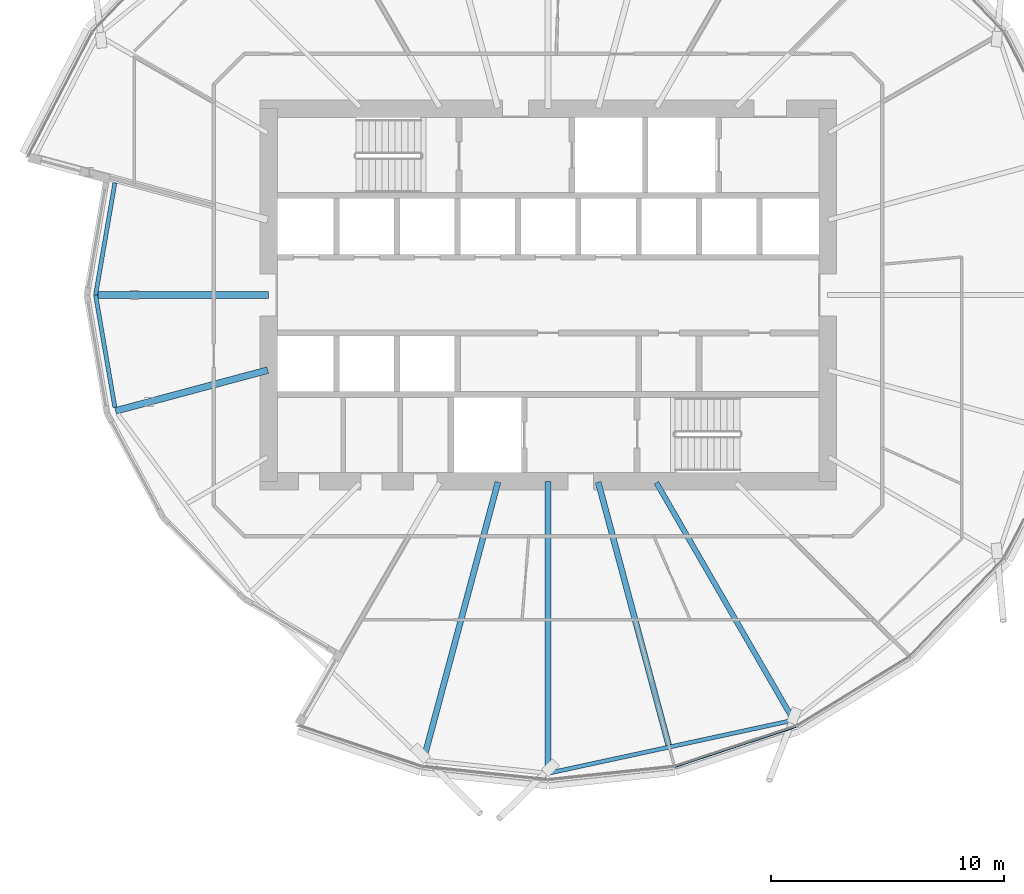
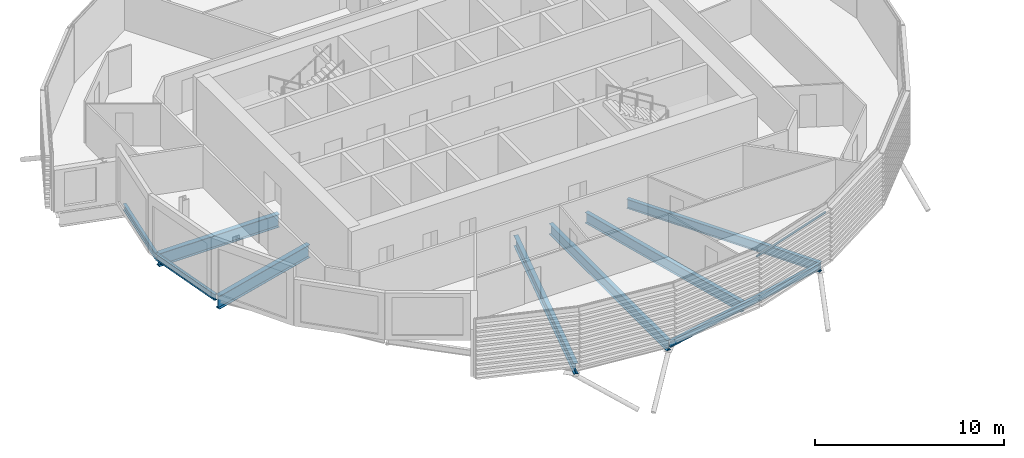
# One storey, part 4 of 39: 9 beams, 1 member, 1 element without a shape of its own.
"""IFC4 building model written with IfcOpenShell, lengths in metres."""

from ifc_helpers import new_model, si_unit, direction, frame, origin, origin_2d, place, context, subcontext, project, spatial, rectangle, i_section, extrude, material, material_profile, profile_set, type_object, element, aggregate, save


model = new_model("IFC4")

# Units and contexts
model_context = context("Model", 3, precision=1e-05, world=origin(), true_north=direction((0.0, 1.0)))
body_context = subcontext(model_context, "Body", "Model", "MODEL_VIEW")
ifc_project = project(units=[si_unit("LENGTHUNIT", "METRE"), si_unit("AREAUNIT", "SQUARE_METRE"), si_unit("VOLUMEUNIT", "CUBIC_METRE"), si_unit("PLANEANGLEUNIT", "RADIAN"), si_unit("MASSUNIT", "GRAM", prefix="KILO")], contexts=[model_context])

# Site, building, storey
site_placement = place(None, origin())
site = spatial("IfcSite", under=ifc_project, at=site_placement, CompositionType="ELEMENT")
building_placement = place(site_placement, origin())
building = spatial("IfcBuilding", under=site, at=building_placement, Name="Rimbun Link Towers", CompositionType="ELEMENT")
storey_placement = place(building_placement, frame((0.0, 0.0, 112.0)))
storey = spatial("IfcBuildingStorey", under=building, at=storey_placement, Name="L27", CompositionType="ELEMENT", Elevation=112.0)

# Curtain wall, member
ifc_material_1 = material(Name="Aluminium 6063-T6 and low-iron glass", Category="aluminium")
curtain_wall_type = type_object("IfcCurtainWallType", Name="CW1-Z2 unitised vision wall (zone 2)", PredefinedType="NOTDEFINED", material=ifc_material_1)
curtain_wall_placement = place(storey_placement, origin())
curtain_wall = element("IfcCurtainWall", 1, at=curtain_wall_placement, inside=storey, type_object=curtain_wall_type, Name="CW1 L27 T1", PredefinedType="NOTDEFINED")
ifc_material_2 = material(Name="Aluminium 6063-T6", Category="aluminium")
ifc_material_profile_1 = material_profile(ifc_material_2, rectangle(XDim=0.06005859375, YDim=0.1201171875, at=origin_2d()), Name="TRANSOM 60X120")
ifc_profile_set_1 = profile_set([ifc_material_profile_1], Name="Aluminium 6063-T6")
member_type = type_object("IfcMemberType", Name="CW1 transom 60X120", PredefinedType="USERDEFINED", material=ifc_profile_set_1)
member_placement = place(storey_placement, frame((-21.09228515625, -18.5419921875, 3.199951171875), z_axis=(-0.949230712226, -0.314580760645, 0.0), x_axis=(0.314580760645, -0.949230712226, 0.0)))
member = element("IfcMember", 2, at=member_placement, type_object=member_type, Name="CW1 transom", ObjectType="TRANSOM", PredefinedType="USERDEFINED", context=body_context, shape_type="SweptSolid", body=[
    extrude(rectangle(XDim=0.06005859375, YDim=0.1201171875, at=origin_2d()), origin(), (0.0, 0.0, 1.0), 5.471435546875),
])
aggregate(curtain_wall, [member])

# Beams
ifc_material_3 = material(Name="Steel S355J2", Category="steel")
ifc_material_profile_2 = material_profile(ifc_material_3, i_section(OverallWidth=0.177978515625, OverallDepth=0.406494140625, WebThickness=0.0078125, FlangeThickness=0.0126953125, at=origin_2d()), Name="UB 406x178x60")
ifc_profile_set_2 = profile_set([ifc_material_profile_2], Name="Steel S355J2")
beam_type_1 = type_object("IfcBeamType", Name="UB 406x178x60", PredefinedType="BEAM", material=ifc_profile_set_2)
beam_1_placement = place(storey_placement, frame((-50.35205078125, 4.81689453125, -0.36328125), z_axis=(-0.169208651804, -0.985580251504, 0.0), x_axis=(0.985580251504, -0.169208651804, 0.0)))
element("IfcBeam", 3, at=beam_1_placement, inside=storey, type_object=beam_type_1, Name="Edge beam T1 L27 11 recess", PredefinedType="BEAM", context=body_context, shape_type="SweptSolid", body=[
    extrude(i_section(OverallWidth=0.177978515625, OverallDepth=0.406494140625, WebThickness=0.0078125, FlangeThickness=0.0126953125, at=origin_2d()), origin(), (0.0, 0.0, 1.0), 4.87109375),
])
beam_2_placement = place(storey_placement, frame((-51.17626953125, -0.01611328125, -0.36328125), z_axis=(0.169186101324, -0.985584122802, 0.0), x_axis=(0.985584122802, 0.169186101324, 0.0)))
element("IfcBeam", 4, at=beam_2_placement, inside=storey, type_object=beam_type_1, Name="Edge beam T1 L27 12 recess", PredefinedType="BEAM", context=body_context, shape_type="SweptSolid", body=[
    extrude(i_section(OverallWidth=0.177978515625, OverallDepth=0.406494140625, WebThickness=0.0078125, FlangeThickness=0.0126953125, at=origin_2d()), origin(), (0.0, 0.0, 1.0), 4.87744140625),
])
beam_3_placement = place(storey_placement, frame((-31.7490234375, -20.536376953125, -0.36328125), z_axis=(0.977393453012, 0.211428564788, 0.0), x_axis=(-0.211428564788, 0.977393453012, 0.0)))
element("IfcBeam", 5, at=beam_3_placement, inside=storey, type_object=beam_type_1, Name="Edge beam T1 L27 18-20", PredefinedType="BEAM", context=body_context, shape_type="SweptSolid", body=[
    extrude(i_section(OverallWidth=0.177978515625, OverallDepth=0.406494140625, WebThickness=0.0078125, FlangeThickness=0.0126953125, at=origin_2d()), origin(), (0.0, 0.0, 1.0), 10.66259765625),
])
ifc_material_4 = material(Name="Steel S355J2", Category="steel")
ifc_material_profile_3 = material_profile(ifc_material_4, i_section(OverallWidth=0.2275390625, OverallDepth=0.6025390625, WebThickness=0.010498046875, FlangeThickness=0.014892578125, at=origin_2d()), Name="UB 610x229x101")
ifc_profile_set_3 = profile_set([ifc_material_profile_3], Name="Steel S355J2")
beam_type_2 = type_object("IfcBeamType", Name="UB 610x229x101", PredefinedType="BEAM", material=ifc_profile_set_3)
beam_4_placement = place(storey_placement, frame((-27.097900390625, -8.057861328125, -0.461181640625), z_axis=(0.500005398586, -0.866022286887, 0.0), x_axis=(0.866022286887, 0.500005398586, 0.0)))
element("IfcBeam", 6, at=beam_4_placement, inside=storey, type_object=beam_type_2, Name="Radial beam T1 L27 20", PredefinedType="BEAM", context=body_context, shape_type="SweptSolid", body=[
    extrude(i_section(OverallWidth=0.2275390625, OverallDepth=0.6025390625, WebThickness=0.010498046875, FlangeThickness=0.014892578125, at=origin_2d()), origin(), (0.0, 0.0, 1.0), 11.776123046875),
])
ifc_material_5 = material(Name="Steel S355J2", Category="steel")
ifc_material_profile_4 = material_profile(ifc_material_5, i_section(OverallWidth=0.253662109375, OverallDepth=0.68359375, WebThickness=0.012451171875, FlangeThickness=0.01904296875, at=origin_2d()), Name="UB 686x254x140")
ifc_profile_set_4 = profile_set([ifc_material_profile_4], Name="Steel S355J2")
beam_type_3 = type_object("IfcBeamType", Name="UB 686x254x140", PredefinedType="BEAM", material=ifc_profile_set_4)
beam_5_placement = place(storey_placement, frame((-33.902587890625, -8.03369140625, -0.501708984375), z_axis=(-0.258817974839, -0.965926113065, 0.0), x_axis=(0.965926113065, -0.258817974839, 0.0)))
element("IfcBeam", 7, at=beam_5_placement, inside=storey, type_object=beam_type_3, Name="Radial beam T1 L27 17", PredefinedType="BEAM", context=body_context, shape_type="SweptSolid", body=[
    extrude(i_section(OverallWidth=0.253662109375, OverallDepth=0.68359375, WebThickness=0.012451171875, FlangeThickness=0.01904296875, at=origin_2d()), origin(), (0.0, 0.0, 1.0), 12.269287109375),
])
beam_6_placement = place(storey_placement, frame((-31.75, -8.0009765625, -0.501708984375), z_axis=(0.0, -1.0, 0.0), x_axis=(1.0, 0.0, 0.0)))
element("IfcBeam", 8, at=beam_6_placement, inside=storey, type_object=beam_type_3, Name="Radial beam T1 L27 18", PredefinedType="BEAM", context=body_context, shape_type="SweptSolid", body=[
    extrude(i_section(OverallWidth=0.253662109375, OverallDepth=0.68359375, WebThickness=0.012451171875, FlangeThickness=0.01904296875, at=origin_2d()), origin(), (0.0, 0.0, 1.0), 12.4453125),
])
beam_7_placement = place(storey_placement, frame((-29.597412109375, -8.03369140625, -0.501708984375), z_axis=(0.258822040224, -0.965925023744, 0.0), x_axis=(0.965925023744, 0.258822040224, 0.0)))
element("IfcBeam", 9, at=beam_7_placement, inside=storey, type_object=beam_type_3, Name="Radial beam T1 L27 19", PredefinedType="BEAM", context=body_context, shape_type="SweptSolid", body=[
    extrude(i_section(OverallWidth=0.253662109375, OverallDepth=0.68359375, WebThickness=0.012451171875, FlangeThickness=0.01904296875, at=origin_2d()), origin(), (0.0, 0.0, 1.0), 11.68896484375),
])
ifc_material_6 = material(Name="Steel S355J2", Category="steel")
ifc_material_profile_5 = material_profile(ifc_material_6, i_section(OverallWidth=0.29248046875, OverallDepth=0.8408203125, WebThickness=0.0126953125, FlangeThickness=0.021728515625, at=origin_2d()), Name="UB 838x292x194")
ifc_profile_set_5 = profile_set([ifc_material_profile_5], Name="Steel S355J2")
beam_type_4 = type_object("IfcBeamType", Name="UB 838x292x194", PredefinedType="BEAM", material=ifc_profile_set_5)
beam_8_placement = place(storey_placement, frame((-43.7509765625, 0.0, -0.580322265625), z_axis=(-1.0, 0.0, 0.0), x_axis=(0.0, -1.0, 0.0)))
element("IfcBeam", 10, at=beam_8_placement, inside=storey, type_object=beam_type_4, Name="Radial beam T1 L27 12", PredefinedType="BEAM", context=body_context, shape_type="SweptSolid", body=[
    extrude(i_section(OverallWidth=0.29248046875, OverallDepth=0.8408203125, WebThickness=0.0126953125, FlangeThickness=0.021728515625, at=origin_2d()), origin(), (0.0, 0.0, 1.0), 7.338134765625),
])
beam_9_placement = place(storey_placement, frame((-43.788818359375, -3.225830078125, -0.580322265625), z_axis=(-0.965928242155, -0.258810028799, 0.0), x_axis=(0.258810028799, -0.965928242155, 0.0)))
element("IfcBeam", 11, at=beam_9_placement, inside=storey, type_object=beam_type_4, Name="Radial beam T1 L27 13", PredefinedType="BEAM", context=body_context, shape_type="SweptSolid", body=[
    extrude(i_section(OverallWidth=0.29248046875, OverallDepth=0.8408203125, WebThickness=0.0126953125, FlangeThickness=0.021728515625, at=origin_2d()), origin(), (0.0, 0.0, 1.0), 6.766357421875),
])

save(model, "model.ifc")
